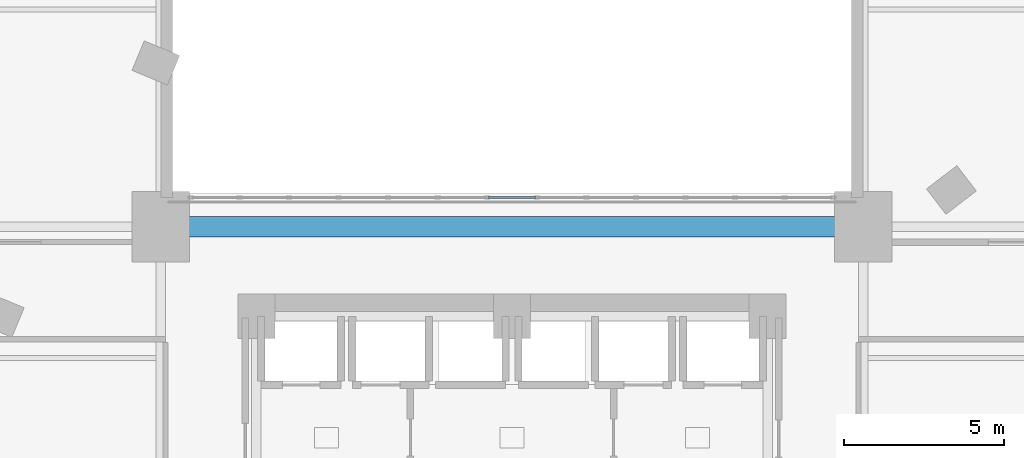
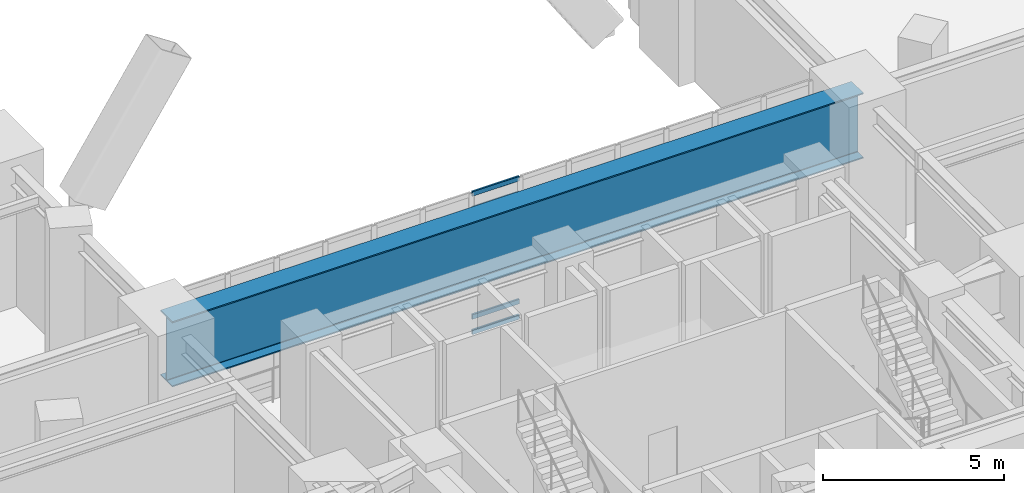
# One storey, part 11 of 26: 4 members, 1 beam, 1 element without a shape of its own.
"""IFC4 building model written with IfcOpenShell, lengths in metres."""

from ifc_helpers import new_model, si_unit, direction, frame, origin, origin_2d, place, context, subcontext, project, spatial, hollow_rectangle, i_section, extrude, material, layer, layer_set, material_profile, profile_set, type_object, element, aggregate, save


model = new_model("IFC4")

# Units and contexts
model_context = context("Model", 3, precision=1e-05, world=origin(), true_north=direction((0.0, 1.0)))
body_context = subcontext(model_context, "Body", "Model", "MODEL_VIEW")
ifc_project = project(units=[si_unit("LENGTHUNIT", "METRE"), si_unit("AREAUNIT", "SQUARE_METRE"), si_unit("VOLUMEUNIT", "CUBIC_METRE"), si_unit("PLANEANGLEUNIT", "RADIAN"), si_unit("MASSUNIT", "GRAM", prefix="KILO")], contexts=[model_context])

# Site, building, storey
site_placement = place(None, origin())
site = spatial("IfcSite", under=ifc_project, at=site_placement, CompositionType="ELEMENT")
building_placement = place(site_placement, origin())
building = spatial("IfcBuilding", under=site, at=building_placement, Name="Ndelora Gate Hotel", CompositionType="ELEMENT")
storey_placement = place(building_placement, frame((0.0, 0.0, 6.0)))
storey = spatial("IfcBuildingStorey", under=building, at=storey_placement, Name="L01", CompositionType="ELEMENT", Elevation=6.0)

# Beam
ifc_material_1 = material(Name="Steel S460", Category="steel")
ifc_material_profile_1 = material_profile(ifc_material_1, i_section(OverallWidth=0.64990234375, OverallDepth=2.199951171875, WebThickness=0.030029296875, FlangeThickness=0.0400390625, FilletRadius=0.02392578125, at=origin_2d()), Name="PG 2200x650x40")
ifc_profile_set_1 = profile_set([ifc_material_profile_1], Name="Steel S460")
beam_type = type_object("IfcBeamType", Name="BM-TR-2200", PredefinedType="BEAM", material=ifc_profile_set_1)
beam_placement = place(storey_placement, frame((-11.0, 9.39990234375, 3.6201171875), z_axis=(1.0, 0.0, 0.0), x_axis=(0.0, 1.0, 0.0)))
element("IfcBeam", 1, at=beam_placement, inside=storey, type_object=beam_type, Name="L01 structural beam TG-0", PredefinedType="BEAM", context=body_context, shape_type="SweptSolid", body=[
    extrude(i_section(OverallWidth=0.64990234375, OverallDepth=2.199951171875, WebThickness=0.030029296875, FlangeThickness=0.0400390625, FilletRadius=0.02392578125, at=origin_2d()), origin(), (0.0, 0.0, 1.0), 22.0),
])

# Curtain wall, members
ifc_material_2 = material(Name="Bronze Anodised Unitised Aluminium and Low-E Glass", Category="aluminium")
ifc_layer = layer(ifc_material_2, 0.239990234375)
ifc_layer_set = layer_set([ifc_layer], Name="Bronze Anodised Unitised Aluminium and Low-E Glass")
curtain_wall_type = type_object("IfcCurtainWallType", Name="CW-SYS-1", PredefinedType="NOTDEFINED", material=ifc_layer_set)
curtain_wall_placement = place(storey_placement, origin())
curtain_wall = element("IfcCurtainWall", 2, at=curtain_wall_placement, inside=storey, type_object=curtain_wall_type, Name="L01 North Portal Arch Concourse Curtain Wall CW1", PredefinedType="NOTDEFINED")
ifc_material_3 = material(Name="Bronze Anodised Aluminium 6063-T6", Category="aluminium")
ifc_material_profile_2 = material_profile(ifc_material_3, hollow_rectangle(XDim=0.06494140625, YDim=0.159912109375, WallThickness=0.00390625, InnerFilletRadius=0.00390625, OuterFilletRadius=0.008056640625, at=origin_2d()), Name="ALU 160x65x4")
ifc_profile_set_2 = profile_set([ifc_material_profile_2], Name="Bronze Anodised Aluminium 6063-T6")
member_type = type_object("IfcMemberType", Name="MB-CW-TRN150", PredefinedType="USERDEFINED", material=ifc_profile_set_2)
member_1_placement = place(storey_placement, frame((0.746337890625, 10.320068359375, 0.032470703125), z_axis=(-1.0, 0.0, 0.0), x_axis=(0.0, -1.0, 0.0)))
member_1 = element("IfcMember", 3, at=member_1_placement, type_object=member_type, Name="CW1 transom 7.1", ObjectType="TRANSOM", PredefinedType="USERDEFINED", context=body_context, shape_type="SweptSolid", body=[
    extrude(hollow_rectangle(XDim=0.06494140625, YDim=0.159912109375, WallThickness=0.00390625, InnerFilletRadius=0.00390625, OuterFilletRadius=0.008056640625, at=origin_2d()), origin(), (0.0, 0.0, 1.0), 1.49267578125),
])
member_2_placement = place(storey_placement, frame((0.746337890625, 10.320068359375, 0.550048828125), z_axis=(-1.0, 0.0, 0.0), x_axis=(0.0, -1.0, 0.0)))
member_2 = element("IfcMember", 4, at=member_2_placement, type_object=member_type, Name="CW1 transom 7.2", ObjectType="TRANSOM", PredefinedType="USERDEFINED", context=body_context, shape_type="SweptSolid", body=[
    extrude(hollow_rectangle(XDim=0.06494140625, YDim=0.159912109375, WallThickness=0.00390625, InnerFilletRadius=0.00390625, OuterFilletRadius=0.008056640625, at=origin_2d()), origin(), (0.0, 0.0, 1.0), 1.49267578125),
])
member_3_placement = place(storey_placement, frame((0.746337890625, 10.320068359375, 4.169921875), z_axis=(-1.0, 0.0, 0.0), x_axis=(0.0, -1.0, 0.0)))
member_3 = element("IfcMember", 5, at=member_3_placement, type_object=member_type, Name="CW1 transom 7.3", ObjectType="TRANSOM", PredefinedType="USERDEFINED", context=body_context, shape_type="SweptSolid", body=[
    extrude(hollow_rectangle(XDim=0.06494140625, YDim=0.159912109375, WallThickness=0.00390625, InnerFilletRadius=0.00390625, OuterFilletRadius=0.008056640625, at=origin_2d()), origin(), (0.0, 0.0, 1.0), 1.49267578125),
])
member_4_placement = place(storey_placement, frame((0.746337890625, 10.320068359375, 4.6875), z_axis=(-1.0, 0.0, 0.0), x_axis=(0.0, -1.0, 0.0)))
member_4 = element("IfcMember", 6, at=member_4_placement, type_object=member_type, Name="CW1 transom 7.4", ObjectType="TRANSOM", PredefinedType="USERDEFINED", context=body_context, shape_type="SweptSolid", body=[
    extrude(hollow_rectangle(XDim=0.06494140625, YDim=0.159912109375, WallThickness=0.00390625, InnerFilletRadius=0.00390625, OuterFilletRadius=0.008056640625, at=origin_2d()), origin(), (0.0, 0.0, 1.0), 1.49267578125),
])
aggregate(curtain_wall, [member_1, member_2, member_3, member_4])

save(model, "model.ifc")
